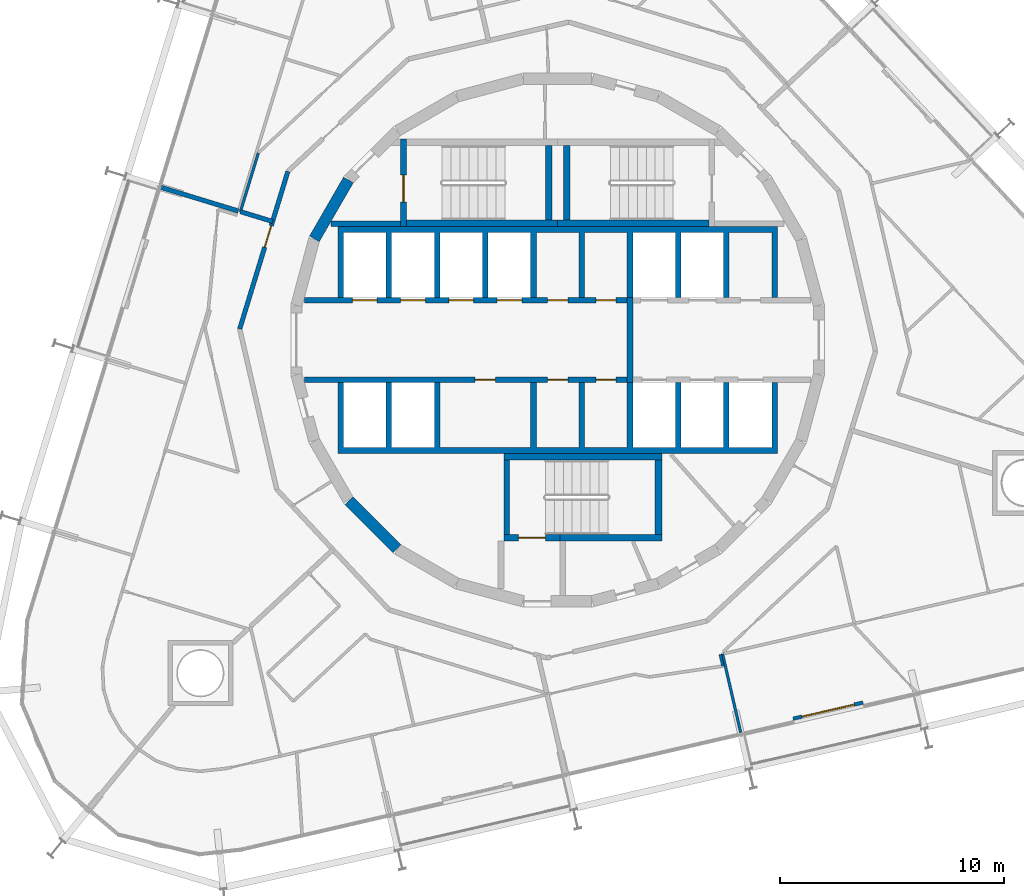
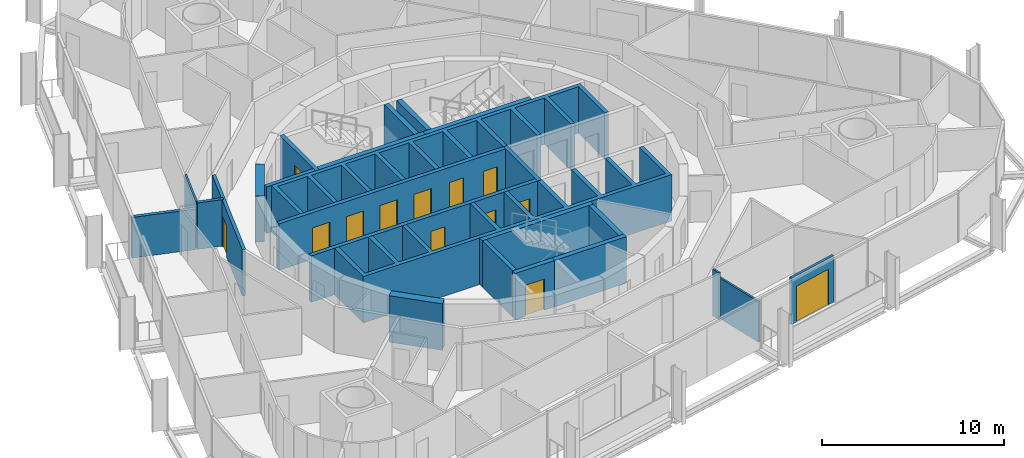
# One storey, part 13 of 18: 25 walls, 13 doors, 13 openings.
"""IFC4 building model written with IfcOpenShell, lengths in metres."""

from ifc_helpers import new_model, si_unit, direction, frame, frame_2d, origin, place, context, subcontext, project, spatial, polyline, rectangle, outline, extrude, material, layer, layer_set, type_object, element, fill, save


model = new_model("IFC4")

# Units and contexts
model_context = context("Model", 3, precision=1e-05, world=origin(), true_north=direction((0.0, 1.0)))
body_context = subcontext(model_context, "Body", "Model", "MODEL_VIEW")
ifc_project = project(units=[si_unit("LENGTHUNIT", "METRE"), si_unit("AREAUNIT", "SQUARE_METRE"), si_unit("VOLUMEUNIT", "CUBIC_METRE"), si_unit("PLANEANGLEUNIT", "RADIAN"), si_unit("MASSUNIT", "GRAM", prefix="KILO")], contexts=[model_context])

# Site, building, storey
site_placement = place(None, origin())
site = spatial("IfcSite", under=ifc_project, at=site_placement, CompositionType="ELEMENT")
building_placement = place(site_placement, origin())
building = spatial("IfcBuilding", under=site, at=building_placement, Name="Spindle Arch Residences", CompositionType="ELEMENT")
storey_placement = place(building_placement, frame((0.0, 0.0, 120.39990234375)))
storey = spatial("IfcBuildingStorey", under=building, at=storey_placement, Name="L29", CompositionType="ELEMENT", Elevation=120.39990234375)

# Walls
ifc_material_1 = material(Name="Concrete C50/60", Category="concrete")
ifc_layer_1 = layer(ifc_material_1, 0.5)
ifc_layer_set_1 = layer_set([ifc_layer_1], Name="Core outline wall 500")
wall_type_1 = type_object("IfcWallType", Name="Core outline wall 500", PredefinedType="SHEAR", material=ifc_layer_set_1)
wall_1_placement = place(storey_placement, frame((-9.32861328125, 7.13671875, 0.0), z_axis=(0.0, 0.0, 1.0), x_axis=(-0.500087131594, -0.865975092491, 0.0)))
element("IfcWall", 1, at=wall_1_placement, inside=storey, type_object=wall_type_1, Name="Core outline wall 16", PredefinedType="SHEAR", context=body_context, shape_type="SweptSolid", body=[
    extrude(rectangle(XDim=3.03271484375, YDim=0.5, at=frame_2d((1.516357421875, 0.0))), origin(), (0.0, 0.0, 1.0), 3.1201171875),
])
wall_2_placement = place(storey_placement, frame((-9.30810546875, -7.163818359375, 0.0), z_axis=(0.0, 0.0, 1.0), x_axis=(0.707106781187, -0.707106781187, 0.0)))
element("IfcWall", 2, at=wall_2_placement, inside=storey, type_object=wall_type_1, Name="Core outline wall 21", PredefinedType="SHEAR", context=body_context, shape_type="SweptSolid", body=[
    extrude(rectangle(XDim=3.032470703125, YDim=0.5, at=frame_2d((1.51611328125, 0.0))), origin(), (0.0, 0.0, 1.0), 3.1201171875),
])

# Wall, opening, door
ifc_material_2 = material(Name="Calcium silicate block, plastered")
ifc_layer_2 = layer(ifc_material_2, 0.199951171875)
ifc_layer_set_2 = layer_set([ifc_layer_2], Name="Corridor wall 200")
wall_type_2 = type_object("IfcWallType", Name="Corridor wall 200", PredefinedType="STANDARD", material=ifc_layer_set_2)
wall_3_placement = place(storey_placement, frame((-12.028076171875, 7.51611328125, 0.0), z_axis=(0.0, 0.0, 1.0), x_axis=(-0.292365533182, -0.956306642771, 0.0)))
wall_3 = element("IfcWall", 3, at=wall_3_placement, inside=storey, type_object=wall_type_2, Name="Corridor wall R3A0-W010", PredefinedType="STANDARD", context=body_context, shape_type="SweptSolid", body=[
    extrude(rectangle(XDim=7.341796875, YDim=0.199951171875, at=frame_2d((3.6708984375, 0.0))), origin(), (0.0, 0.0, 1.0), 3.1201171875),
])
opening_1_placement = place(wall_3_placement, frame((2.53271484375, 0.0, 0.0)))
opening_1 = element("IfcOpeningElement", 4, at=opening_1_placement, cuts=wall_3, Name="Opening R3A0-FD04", PredefinedType="OPENING", context=body_context, shape_type="SweptSolid", body=[
    extrude(rectangle(XDim=1.0, YDim=2.10009765625, at=frame_2d((0.5, 1.050048828125))), frame((0.0, 0.10986328125, 0.0), z_axis=(0.0, -1.0, 0.0), x_axis=(1.0, 0.0, 0.0)), (0.0, 0.0, 1.0), 0.219970703125),
])
ifc_material_3 = material(Name="Timber, fire-resisting door set", Category="wood")
door_type_1 = type_object("IfcDoorType", Name="Flat entrance door 1000x2100", OperationType="NOTDEFINED", PredefinedType="DOOR", material=ifc_material_3)
door_1_placement = place(opening_1_placement, origin())
door_1 = element("IfcDoor", 5, at=door_1_placement, inside=storey, type_object=door_type_1, Name="Flat entrance door R3A0-FD04", OperationType="SINGLE_SWING_LEFT", OverallHeight=2.10009765625, OverallWidth=1.0, PredefinedType="DOOR", context=body_context, shape_type="SweptSolid", body=[
    extrude(rectangle(XDim=1.0, YDim=2.10009765625, at=frame_2d((0.5, 1.050048828125))), frame((0.0, 0.02490234375, 0.0), z_axis=(0.0, -1.0, 0.0), x_axis=(1.0, 0.0, 0.0)), (0.0, 0.0, 1.0), 0.050048828125),
])
fill(opening_1, door_1)

# Walls
ifc_material_4 = material(Name="Concrete C40/50", Category="concrete")
ifc_layer_3 = layer(ifc_material_4, 0.25)
ifc_layer_set_3 = layer_set([ifc_layer_3], Name="Fire-lift lobby wall 250")
wall_type_3 = type_object("IfcWallType", Name="Fire-lift lobby wall 250", PredefinedType="SHEAR", material=ifc_layer_set_3)
wall_4_placement = place(storey_placement, frame((3.22509765625, -1.89990234375, 0.0), z_axis=(0.0, 0.0, 1.0), x_axis=(0.0, 1.0, 0.0)))
element("IfcWall", 6, at=wall_4_placement, inside=storey, type_object=wall_type_3, Name="Fire-fighting lobby partition", PredefinedType="SHEAR", context=body_context, shape_type="SweptSolid", body=[
    extrude(rectangle(XDim=3.7998046875, YDim=0.25, at=frame_2d((1.89990234375, 0.0))), origin(), (0.0, 0.0, 1.0), 3.1201171875),
])
ifc_material_5 = material(Name="Plasterboard on steel studs", Category="steel")
ifc_layer_4 = layer(ifc_material_5, 0.1201171875)
ifc_layer_set_4 = layer_set([ifc_layer_4], Name="Flat partition 120")
wall_type_4 = type_object("IfcWallType", Name="Flat partition 120", PredefinedType="PARTITIONING", material=ifc_layer_set_4)
wall_5_placement = place(storey_placement, frame((-13.34521484375, 8.3388671875, 0.0), z_axis=(0.0, 0.0, 1.0), x_axis=(-0.292316072367, -0.956321762712, 0.0)))
element("IfcWall", 7, at=wall_5_placement, inside=storey, type_object=wall_type_4, Name="Flat partition R3A0-W063", PredefinedType="PARTITIONING", context=body_context, shape_type="SweptSolid", body=[
    extrude(rectangle(XDim=2.734375, YDim=0.1201171875, at=frame_2d((1.3671875, 0.0))), origin(), (0.0, 0.0, 1.0), 3.1201171875),
])
wall_6_placement = place(storey_placement, frame((7.368408203125, -14.53662109375, 0.0), z_axis=(0.0, 0.0, 1.0), x_axis=(-0.224960301109, 0.974367929955, 0.0)))
element("IfcWall", 8, at=wall_6_placement, inside=storey, type_object=wall_type_4, Name="Flat partition R3A0-W105", PredefinedType="PARTITIONING", context=body_context, shape_type="SweptSolid", body=[
    extrude(rectangle(XDim=0.53076171875, YDim=0.1201171875, at=frame_2d((0.265380859375, 0.0))), origin(), (0.0, 0.0, 1.0), 3.1201171875),
])
ifc_material_6 = material(Name="Plasterboard on steel studs", Category="steel")
ifc_layer_5 = layer(ifc_material_6, 0.1201171875)
ifc_layer_set_5 = layer_set([ifc_layer_5], Name="Flat partition 120 under beam 2730")
wall_type_5 = type_object("IfcWallType", Name="Flat partition 120 under beam 2730", PredefinedType="PARTITIONING", material=ifc_layer_set_5)
wall_7_placement = place(storey_placement, frame((8.1611328125, -17.503662109375, 0.0), z_axis=(0.0, 0.0, 1.0), x_axis=(-0.224943703639, 0.9743717618, 0.0)))
element("IfcWall", 9, at=wall_7_placement, inside=storey, type_object=wall_type_5, Name="Flat partition R3A0-W110", PredefinedType="PARTITIONING", context=body_context, shape_type="SweptSolid", body=[
    extrude(rectangle(XDim=3.60009765625, YDim=0.1201171875, at=frame_2d((1.800048828125, 0.0))), origin(), (0.0, 0.0, 1.0), 2.72998046875),
])
ifc_material_7 = material(Name="Calcium silicate block, plastered")
ifc_layer_6 = layer(ifc_material_7, 0.199951171875)
ifc_layer_set_6 = layer_set([ifc_layer_6], Name="Flat party wall 200")
wall_type_6 = type_object("IfcWallType", Name="Flat party wall 200", PredefinedType="STANDARD", material=ifc_layer_set_6)
wall_8_placement = place(storey_placement, frame((-14.14453125, 5.723876953125, 0.0), z_axis=(0.0, 0.0, 1.0), x_axis=(0.956266872747, -0.292495586439, 0.0)))
element("IfcWall", 10, at=wall_8_placement, inside=storey, type_object=wall_type_6, Name="Flat party wall R3A0-W023", PredefinedType="STANDARD", context=body_context, shape_type="SweptSolid", body=[
    extrude(rectangle(XDim=1.5, YDim=0.199951171875, at=frame_2d((0.75, 0.0))), origin(), (0.0, 0.0, 1.0), 3.1201171875),
])
ifc_material_8 = material(Name="Calcium silicate block, plastered")
ifc_layer_7 = layer(ifc_material_8, 0.199951171875)
ifc_layer_set_7 = layer_set([ifc_layer_7], Name="Flat party wall 200 under beam 2730")
wall_type_7 = type_object("IfcWallType", Name="Flat party wall 200 under beam 2730", PredefinedType="STANDARD", material=ifc_layer_set_7)
wall_9_placement = place(storey_placement, frame((-17.67431640625, 6.802978515625, 0.0), z_axis=(0.0, 0.0, 1.0), x_axis=(0.956293645939, -0.292408041504, 0.0)))
element("IfcWall", 11, at=wall_9_placement, inside=storey, type_object=wall_type_7, Name="Flat party wall R3A0-W024", PredefinedType="STANDARD", context=body_context, shape_type="SweptSolid", body=[
    extrude(rectangle(XDim=3.600341796875, YDim=0.199951171875, at=frame_2d((1.80029296875, 0.0))), origin(), (0.0, 0.0, 1.0), 2.72998046875),
])

# Wall, opening, door
ifc_material_9 = material(Name="Non-combustible mineral wool insulated aluminium faced external wall (K0)", Category="aluminium")
ifc_layer_8 = layer(ifc_material_9, 0.159912109375)
ifc_layer_set_8 = layer_set([ifc_layer_8], Name="Insulated external wall panel 160")
wall_type_8 = type_object("IfcWallType", Name="Insulated external wall panel 160", PredefinedType="STANDARD", material=ifc_layer_set_8)
wall_10_placement = place(storey_placement, frame((10.495849609375, -16.882568359375, 0.0), z_axis=(0.0, 0.0, 1.0), x_axis=(0.974364187477, 0.224976510247, 0.0)))
wall_10 = element("IfcWall", 12, at=wall_10_placement, inside=storey, type_object=wall_type_8, Name="External wall L29 bay 1", PredefinedType="STANDARD", context=body_context, shape_type="SweptSolid", body=[
    extrude(rectangle(XDim=3.2001953125, YDim=0.159912109375, at=frame_2d((1.60009765625, 0.0))), origin(), (0.0, 0.0, 1.0), 3.1201171875),
])
opening_2_placement = place(wall_10_placement, frame((0.39990234375, 0.0, 0.0)))
opening_2 = element("IfcOpeningElement", 13, at=opening_2_placement, cuts=wall_10, Name="Opening BD01", PredefinedType="OPENING", context=body_context, shape_type="SweptSolid", body=[
    extrude(rectangle(XDim=2.39990234375, YDim=2.39990234375, at=frame_2d((1.199951171875, 1.199951171875))), frame((0.0, 0.08984375, 0.0), z_axis=(0.0, -1.0, 0.0), x_axis=(1.0, 0.0, 0.0)), (0.0, 0.0, 1.0), 0.179931640625),
])
ifc_material_10 = material(Name="Bronze aluminium frame, tinted double glazing", Category="aluminium")
door_type_2 = type_object("IfcDoorType", Name="Sliding glazed balcony door 2400x2400", OperationType="DOUBLE_DOOR_SLIDING", PredefinedType="DOOR", material=ifc_material_10)
door_2_placement = place(opening_2_placement, origin())
door_2 = element("IfcDoor", 14, at=door_2_placement, inside=storey, type_object=door_type_2, Name="Balcony door BD01", OperationType="DOUBLE_DOOR_SLIDING", OverallHeight=2.39990234375, OverallWidth=2.39990234375, PredefinedType="DOOR", context=body_context, shape_type="SweptSolid", body=[
    extrude(rectangle(XDim=2.39990234375, YDim=2.39990234375, at=frame_2d((1.199951171875, 1.199951171875))), frame((0.0, 0.02490234375, 0.0), z_axis=(0.0, -1.0, 0.0), x_axis=(1.0, 0.0, 0.0)), (0.0, 0.0, 1.0), 0.050048828125),
])
fill(opening_2, door_2)

# Wall, openings, doors
ifc_material_11 = material(Name="Concrete C50/60", Category="concrete")
ifc_layer_9 = layer(ifc_material_11, 0.25)
ifc_layer_set_9 = layer_set([ifc_layer_9], Name="Lift shaft wall 250")
wall_type_9 = type_object("IfcWallType", Name="Lift shaft wall 250", PredefinedType="SHEAR", material=ifc_layer_set_9)
wall_11_placement = place(storey_placement, frame((-11.280029296875, 1.77490234375, 0.0), z_axis=(0.0, 0.0, 1.0), x_axis=(1.0, 0.0, 0.0)))
wall_11 = element("IfcWall", 15, at=wall_11_placement, inside=storey, type_object=wall_type_9, Name="Lift shaft front wall NW", PredefinedType="SHEAR", context=body_context, shape_type="SweptSolid", body=[
    extrude(rectangle(XDim=14.380126953125, YDim=0.25, at=frame_2d((7.18994140625, 0.0))), origin(), (0.0, 0.0, 1.0), 3.1201171875),
])
opening_3_placement = place(wall_11_placement, frame((2.1298828125, 0.0, 0.0)))
opening_3 = element("IfcOpeningElement", 16, at=opening_3_placement, cuts=wall_11, Name="Opening R3A0-LD01", PredefinedType="OPENING", context=body_context, shape_type="SweptSolid", body=[
    extrude(rectangle(XDim=1.10009765625, YDim=2.10009765625, at=frame_2d((0.550048828125, 1.050048828125))), frame((0.0, 0.135009765625, 0.0), z_axis=(0.0, -1.0, 0.0), x_axis=(1.0, 0.0, 0.0)), (0.0, 0.0, 1.0), 0.27001953125),
])
opening_4_placement = place(wall_11_placement, frame((4.280029296875, 0.0, 0.0)))
opening_4 = element("IfcOpeningElement", 17, at=opening_4_placement, cuts=wall_11, Name="Opening R3A0-LD02", PredefinedType="OPENING", context=body_context, shape_type="SweptSolid", body=[
    extrude(rectangle(XDim=1.10009765625, YDim=2.10009765625, at=frame_2d((0.550048828125, 1.050048828125))), frame((0.0, 0.135009765625, 0.0), z_axis=(0.0, -1.0, 0.0), x_axis=(1.0, 0.0, 0.0)), (0.0, 0.0, 1.0), 0.27001953125),
])
opening_5_placement = place(wall_11_placement, frame((6.429931640625, 0.0, 0.0)))
opening_5 = element("IfcOpeningElement", 18, at=opening_5_placement, cuts=wall_11, Name="Opening R3A0-LD03", PredefinedType="OPENING", context=body_context, shape_type="SweptSolid", body=[
    extrude(rectangle(XDim=1.10009765625, YDim=2.10009765625, at=frame_2d((0.550048828125, 1.050048828125))), frame((0.0, 0.135009765625, 0.0), z_axis=(0.0, -1.0, 0.0), x_axis=(1.0, 0.0, 0.0)), (0.0, 0.0, 1.0), 0.27001953125),
])
opening_6_placement = place(wall_11_placement, frame((8.580078125, 0.0, 0.0)))
opening_6 = element("IfcOpeningElement", 19, at=opening_6_placement, cuts=wall_11, Name="Opening R3A0-LD04", PredefinedType="OPENING", context=body_context, shape_type="SweptSolid", body=[
    extrude(rectangle(XDim=1.10009765625, YDim=2.10009765625, at=frame_2d((0.550048828125, 1.050048828125))), frame((0.0, 0.135009765625, 0.0), z_axis=(0.0, -1.0, 0.0), x_axis=(1.0, 0.0, 0.0)), (0.0, 0.0, 1.0), 0.27001953125),
])
opening_7_placement = place(wall_11_placement, frame((10.830078125, 0.0, 0.0)))
opening_7 = element("IfcOpeningElement", 20, at=opening_7_placement, cuts=wall_11, Name="Opening R3A0-WD01", PredefinedType="OPENING", context=body_context, shape_type="SweptSolid", body=[
    extrude(rectangle(XDim=0.89990234375, YDim=2.10009765625, at=frame_2d((0.449951171875, 1.050048828125))), frame((0.0, 0.135009765625, 0.0), z_axis=(0.0, -1.0, 0.0), x_axis=(1.0, 0.0, 0.0)), (0.0, 0.0, 1.0), 0.27001953125),
])
opening_8_placement = place(wall_11_placement, frame((12.97998046875, 0.0, 0.0)))
opening_8 = element("IfcOpeningElement", 21, at=opening_8_placement, cuts=wall_11, Name="Opening R3A0-WD02", PredefinedType="OPENING", context=body_context, shape_type="SweptSolid", body=[
    extrude(rectangle(XDim=0.89990234375, YDim=2.10009765625, at=frame_2d((0.449951171875, 1.050048828125))), frame((0.0, 0.135009765625, 0.0), z_axis=(0.0, -1.0, 0.0), x_axis=(1.0, 0.0, 0.0)), (0.0, 0.0, 1.0), 0.27001953125),
])
ifc_material_12 = material(Name="Steel, fire-resisting landing door", Category="steel")
door_type_3 = type_object("IfcDoorType", Name="Lift landing door 1100x2100", OperationType="DOUBLE_DOOR_SLIDING", PredefinedType="DOOR", material=ifc_material_12)
door_3_placement = place(opening_3_placement, origin())
door_3 = element("IfcDoor", 22, at=door_3_placement, inside=storey, type_object=door_type_3, Name="Lift landing door R3A0-LD01", OperationType="DOUBLE_DOOR_SLIDING", OverallHeight=2.10009765625, OverallWidth=1.10009765625, PredefinedType="DOOR", context=body_context, shape_type="SweptSolid", body=[
    extrude(rectangle(XDim=1.10009765625, YDim=2.10009765625, at=frame_2d((0.550048828125, 1.050048828125))), frame((0.0, 0.02490234375, 0.0), z_axis=(0.0, -1.0, 0.0), x_axis=(1.0, 0.0, 0.0)), (0.0, 0.0, 1.0), 0.050048828125),
])
fill(opening_3, door_3)
door_4_placement = place(opening_4_placement, origin())
door_4 = element("IfcDoor", 23, at=door_4_placement, inside=storey, type_object=door_type_3, Name="Lift landing door R3A0-LD02", OperationType="DOUBLE_DOOR_SLIDING", OverallHeight=2.10009765625, OverallWidth=1.10009765625, PredefinedType="DOOR", context=body_context, shape_type="SweptSolid", body=[
    extrude(rectangle(XDim=1.10009765625, YDim=2.10009765625, at=frame_2d((0.550048828125, 1.050048828125))), frame((0.0, 0.02490234375, 0.0), z_axis=(0.0, -1.0, 0.0), x_axis=(1.0, 0.0, 0.0)), (0.0, 0.0, 1.0), 0.050048828125),
])
fill(opening_4, door_4)
door_5_placement = place(opening_5_placement, origin())
door_5 = element("IfcDoor", 24, at=door_5_placement, inside=storey, type_object=door_type_3, Name="Lift landing door R3A0-LD03", OperationType="DOUBLE_DOOR_SLIDING", OverallHeight=2.10009765625, OverallWidth=1.10009765625, PredefinedType="DOOR", context=body_context, shape_type="SweptSolid", body=[
    extrude(rectangle(XDim=1.10009765625, YDim=2.10009765625, at=frame_2d((0.550048828125, 1.050048828125))), frame((0.0, 0.02490234375, 0.0), z_axis=(0.0, -1.0, 0.0), x_axis=(1.0, 0.0, 0.0)), (0.0, 0.0, 1.0), 0.050048828125),
])
fill(opening_5, door_5)
door_6_placement = place(opening_6_placement, origin())
door_6 = element("IfcDoor", 25, at=door_6_placement, inside=storey, type_object=door_type_3, Name="Lift landing door R3A0-LD04", OperationType="DOUBLE_DOOR_SLIDING", OverallHeight=2.10009765625, OverallWidth=1.10009765625, PredefinedType="DOOR", context=body_context, shape_type="SweptSolid", body=[
    extrude(rectangle(XDim=1.10009765625, YDim=2.10009765625, at=frame_2d((0.550048828125, 1.050048828125))), frame((0.0, 0.02490234375, 0.0), z_axis=(0.0, -1.0, 0.0), x_axis=(1.0, 0.0, 0.0)), (0.0, 0.0, 1.0), 0.050048828125),
])
fill(opening_6, door_6)
ifc_material_13 = material(Name="Steel, fire-resisting door", Category="steel")
door_type_4 = type_object("IfcDoorType", Name="Service room door 900x2100", OperationType="SINGLE_SWING_LEFT", PredefinedType="DOOR", material=ifc_material_13)
door_7_placement = place(opening_7_placement, origin())
door_7 = element("IfcDoor", 26, at=door_7_placement, inside=storey, type_object=door_type_4, Name="Service room door R3A0-WD01", OperationType="SINGLE_SWING_RIGHT", OverallHeight=2.10009765625, OverallWidth=0.89990234375, PredefinedType="DOOR", context=body_context, shape_type="SweptSolid", body=[
    extrude(rectangle(XDim=0.89990234375, YDim=2.10009765625, at=frame_2d((0.449951171875, 1.050048828125))), frame((0.0, 0.02490234375, 0.0), z_axis=(0.0, -1.0, 0.0), x_axis=(1.0, 0.0, 0.0)), (0.0, 0.0, 1.0), 0.050048828125),
])
fill(opening_7, door_7)
door_8_placement = place(opening_8_placement, origin())
door_8 = element("IfcDoor", 27, at=door_8_placement, inside=storey, type_object=door_type_4, Name="Service room door R3A0-WD02", OperationType="SINGLE_SWING_LEFT", OverallHeight=2.10009765625, OverallWidth=0.89990234375, PredefinedType="DOOR", context=body_context, shape_type="SweptSolid", body=[
    extrude(rectangle(XDim=0.89990234375, YDim=2.10009765625, at=frame_2d((0.449951171875, 1.050048828125))), frame((0.0, 0.02490234375, 0.0), z_axis=(0.0, -1.0, 0.0), x_axis=(1.0, 0.0, 0.0)), (0.0, 0.0, 1.0), 0.050048828125),
])
fill(opening_8, door_8)

wall_12_placement = place(storey_placement, frame((-11.280029296875, -1.77490234375, 0.0), z_axis=(0.0, 0.0, 1.0), x_axis=(1.0, 0.0, 0.0)))
wall_12 = element("IfcWall", 28, at=wall_12_placement, inside=storey, type_object=wall_type_9, Name="Lift shaft front wall SW", PredefinedType="SHEAR", context=body_context, shape_type="SweptSolid", body=[
    extrude(rectangle(XDim=14.380126953125, YDim=0.25, at=frame_2d((7.18994140625, 0.0))), origin(), (0.0, 0.0, 1.0), 3.1201171875),
])
opening_9_placement = place(wall_12_placement, frame((7.60498046875, 0.0, 0.0)))
opening_9 = element("IfcOpeningElement", 29, at=opening_9_placement, cuts=wall_12, Name="Opening R3A0-WD04", PredefinedType="OPENING", context=body_context, shape_type="SweptSolid", body=[
    extrude(rectangle(XDim=0.89990234375, YDim=2.10009765625, at=frame_2d((0.449951171875, 1.050048828125))), frame((0.0, 0.135009765625, 0.0), z_axis=(0.0, -1.0, 0.0), x_axis=(1.0, 0.0, 0.0)), (0.0, 0.0, 1.0), 0.27001953125),
])
opening_10_placement = place(wall_12_placement, frame((10.830078125, 0.0, 0.0)))
opening_10 = element("IfcOpeningElement", 30, at=opening_10_placement, cuts=wall_12, Name="Opening R3A0-WD05", PredefinedType="OPENING", context=body_context, shape_type="SweptSolid", body=[
    extrude(rectangle(XDim=0.89990234375, YDim=2.10009765625, at=frame_2d((0.449951171875, 1.050048828125))), frame((0.0, 0.135009765625, 0.0), z_axis=(0.0, -1.0, 0.0), x_axis=(1.0, 0.0, 0.0)), (0.0, 0.0, 1.0), 0.27001953125),
])
opening_11_placement = place(wall_12_placement, frame((12.97998046875, 0.0, 0.0)))
opening_11 = element("IfcOpeningElement", 31, at=opening_11_placement, cuts=wall_12, Name="Opening R3A0-WD06", PredefinedType="OPENING", context=body_context, shape_type="SweptSolid", body=[
    extrude(rectangle(XDim=0.89990234375, YDim=2.10009765625, at=frame_2d((0.449951171875, 1.050048828125))), frame((0.0, 0.135009765625, 0.0), z_axis=(0.0, -1.0, 0.0), x_axis=(1.0, 0.0, 0.0)), (0.0, 0.0, 1.0), 0.27001953125),
])
door_9_placement = place(opening_9_placement, origin())
door_9 = element("IfcDoor", 32, at=door_9_placement, inside=storey, type_object=door_type_4, Name="Service room door R3A0-WD04", OperationType="SINGLE_SWING_LEFT", OverallHeight=2.10009765625, OverallWidth=0.89990234375, PredefinedType="DOOR", context=body_context, shape_type="SweptSolid", body=[
    extrude(rectangle(XDim=0.89990234375, YDim=2.10009765625, at=frame_2d((0.449951171875, 1.050048828125))), frame((0.0, 0.02490234375, 0.0), z_axis=(0.0, -1.0, 0.0), x_axis=(1.0, 0.0, 0.0)), (0.0, 0.0, 1.0), 0.050048828125),
])
fill(opening_9, door_9)
door_10_placement = place(opening_10_placement, origin())
door_10 = element("IfcDoor", 33, at=door_10_placement, inside=storey, type_object=door_type_4, Name="Service room door R3A0-WD05", OperationType="SINGLE_SWING_RIGHT", OverallHeight=2.10009765625, OverallWidth=0.89990234375, PredefinedType="DOOR", context=body_context, shape_type="SweptSolid", body=[
    extrude(rectangle(XDim=0.89990234375, YDim=2.10009765625, at=frame_2d((0.449951171875, 1.050048828125))), frame((0.0, 0.02490234375, 0.0), z_axis=(0.0, -1.0, 0.0), x_axis=(1.0, 0.0, 0.0)), (0.0, 0.0, 1.0), 0.050048828125),
])
fill(opening_10, door_10)
door_11_placement = place(opening_11_placement, origin())
door_11 = element("IfcDoor", 34, at=door_11_placement, inside=storey, type_object=door_type_4, Name="Service room door R3A0-WD06", OperationType="SINGLE_SWING_LEFT", OverallHeight=2.10009765625, OverallWidth=0.89990234375, PredefinedType="DOOR", context=body_context, shape_type="SweptSolid", body=[
    extrude(rectangle(XDim=0.89990234375, YDim=2.10009765625, at=frame_2d((0.449951171875, 1.050048828125))), frame((0.0, 0.02490234375, 0.0), z_axis=(0.0, -1.0, 0.0), x_axis=(1.0, 0.0, 0.0)), (0.0, 0.0, 1.0), 0.050048828125),
])
fill(opening_11, door_11)

# Walls
ifc_material_14 = material(Name="Concrete C50/60", Category="concrete")
wall_type_10 = type_object("IfcWallType", Name="Lift shaft wall profile", PredefinedType="SHEAR", material=ifc_material_14)
wall_13_placement = place(storey_placement, origin())
element("IfcWall", 35, at=wall_13_placement, inside=storey, type_object=wall_type_10, Name="Lift shaft walls N", PredefinedType="SHEAR", context=body_context, shape_type="SweptSolid", body=[
    extrude(outline(polyline([(-9.550048828125, 4.800048828125), (-7.64990234375, 4.800048828125), (-7.64990234375, 1.89990234375), (-7.39990234375, 1.89990234375), (-7.39990234375, 4.800048828125), (-5.5, 4.800048828125), (-5.5, 1.89990234375), (-5.25, 1.89990234375), (-5.25, 4.800048828125), (-3.35009765625, 4.800048828125), (-3.35009765625, 1.89990234375), (-3.10009765625, 1.89990234375), (-3.10009765625, 4.800048828125), (-1.199951171875, 4.800048828125), (-1.199951171875, 1.89990234375), (-0.949951171875, 1.89990234375), (-0.949951171875, 4.800048828125), (0.949951171875, 4.800048828125), (0.949951171875, 1.89990234375), (1.199951171875, 1.89990234375), (1.199951171875, 4.800048828125), (3.10009765625, 4.800048828125), (3.10009765625, 1.89990234375), (3.35009765625, 1.89990234375), (3.35009765625, 4.800048828125), (5.25, 4.800048828125), (5.25, 1.89990234375), (5.5, 1.89990234375), (5.5, 4.800048828125), (7.39990234375, 4.800048828125), (7.39990234375, 1.89990234375), (7.64990234375, 1.89990234375), (7.64990234375, 4.800048828125), (9.550048828125, 4.800048828125), (9.550048828125, 1.89990234375), (9.800048828125, 1.89990234375), (9.800048828125, 4.800048828125), (9.800048828125, 5.050048828125), (-9.800048828125, 5.050048828125), (-9.800048828125, 4.800048828125), (-9.800048828125, 1.89990234375), (-9.550048828125, 1.89990234375), (-9.550048828125, 4.800048828125)])), origin(), (0.0, 0.0, 1.0), 3.1201171875),
])
wall_14_placement = place(storey_placement, origin())
element("IfcWall", 36, at=wall_14_placement, inside=storey, type_object=wall_type_10, Name="Lift shaft walls S", PredefinedType="SHEAR", context=body_context, shape_type="SweptSolid", body=[
    extrude(outline(polyline([(9.800048828125, -5.050048828125), (9.800048828125, -4.800048828125), (9.800048828125, -1.89990234375), (9.550048828125, -1.89990234375), (9.550048828125, -4.800048828125), (7.64990234375, -4.800048828125), (7.64990234375, -1.89990234375), (7.39990234375, -1.89990234375), (7.39990234375, -4.800048828125), (5.5, -4.800048828125), (5.5, -1.89990234375), (5.25, -1.89990234375), (5.25, -4.800048828125), (3.35009765625, -4.800048828125), (3.35009765625, -1.89990234375), (3.10009765625, -1.89990234375), (3.10009765625, -4.800048828125), (1.199951171875, -4.800048828125), (1.199951171875, -1.89990234375), (0.949951171875, -1.89990234375), (0.949951171875, -4.800048828125), (-0.949951171875, -4.800048828125), (-0.949951171875, -1.89990234375), (-1.199951171875, -1.89990234375), (-1.199951171875, -4.800048828125), (-5.25, -4.800048828125), (-5.25, -1.89990234375), (-5.5, -1.89990234375), (-5.5, -4.800048828125), (-7.39990234375, -4.800048828125), (-7.39990234375, -1.89990234375), (-7.64990234375, -1.89990234375), (-7.64990234375, -4.800048828125), (-9.550048828125, -4.800048828125), (-9.550048828125, -1.89990234375), (-9.800048828125, -1.89990234375), (-9.800048828125, -4.800048828125), (-9.800048828125, -5.050048828125), (9.800048828125, -5.050048828125)])), origin(), (0.0, 0.0, 1.0), 3.1201171875),
])
ifc_material_15 = material(Name="Concrete C40/50", Category="concrete")
ifc_layer_10 = layer(ifc_material_15, 0.25)
ifc_layer_set_10 = layer_set([ifc_layer_10], Name="Stair airlock wall 250")
wall_type_11 = type_object("IfcWallType", Name="Stair airlock wall 250", PredefinedType="SHEAR", material=ifc_layer_set_10)
wall_15_placement = place(storey_placement, frame((-7.0, 5.175048828125, 0.0), z_axis=(0.0, 0.0, 1.0), x_axis=(-1.0, 0.0, 0.0)))
element("IfcWall", 37, at=wall_15_placement, inside=storey, type_object=wall_type_11, Name="Stair ST-2 airlock wall S", PredefinedType="SHEAR", context=body_context, shape_type="SweptSolid", body=[
    extrude(rectangle(XDim=3.10009765625, YDim=0.25, at=frame_2d((1.550048828125, 0.0))), origin(), (0.0, 0.0, 1.0), 3.1201171875),
])

# Wall, opening, door
ifc_material_16 = material(Name="Concrete C50/60", Category="concrete")
ifc_layer_11 = layer(ifc_material_16, 0.25)
ifc_layer_set_11 = layer_set([ifc_layer_11], Name="Stair enclosure wall 250")
wall_type_12 = type_object("IfcWallType", Name="Stair enclosure wall 250", PredefinedType="SHEAR", material=ifc_layer_set_11)
wall_16_placement = place(storey_placement, frame((-6.875, 8.969970703125, 0.0), z_axis=(0.0, 0.0, 1.0), x_axis=(0.0, -1.0, 0.0)))
wall_16 = element("IfcWall", 38, at=wall_16_placement, inside=storey, type_object=wall_type_12, Name="Stair ST-2 door wall", PredefinedType="SHEAR", context=body_context, shape_type="SweptSolid", body=[
    extrude(rectangle(XDim=3.919921875, YDim=0.25, at=frame_2d((1.9599609375, 0.0))), origin(), (0.0, 0.0, 1.0), 3.1201171875),
])
opening_12_placement = place(wall_16_placement, frame((1.610107421875, 0.0, 0.0)))
opening_12 = element("IfcOpeningElement", 39, at=opening_12_placement, cuts=wall_16, Name="Opening R3A0-SD02", PredefinedType="OPENING", context=body_context, shape_type="SweptSolid", body=[
    extrude(rectangle(XDim=1.199951171875, YDim=2.10009765625, at=frame_2d((0.60009765625, 1.050048828125))), frame((0.0, 0.135009765625, 0.0), z_axis=(0.0, -1.0, 0.0), x_axis=(1.0, 0.0, 0.0)), (0.0, 0.0, 1.0), 0.27001953125),
])
ifc_material_17 = material(Name="Steel, fire-resisting door", Category="steel")
door_type_5 = type_object("IfcDoorType", Name="Stair door 1200x2100", OperationType="SINGLE_SWING_RIGHT", PredefinedType="DOOR", material=ifc_material_17)
door_12_placement = place(opening_12_placement, origin())
door_12 = element("IfcDoor", 40, at=door_12_placement, inside=storey, type_object=door_type_5, Name="Stair door R3A0-SD02", OperationType="SINGLE_SWING_LEFT", OverallHeight=2.10009765625, OverallWidth=1.199951171875, PredefinedType="DOOR", context=body_context, shape_type="SweptSolid", body=[
    extrude(rectangle(XDim=1.199951171875, YDim=2.10009765625, at=frame_2d((0.60009765625, 1.050048828125))), frame((0.0, 0.02490234375, 0.0), z_axis=(0.0, -1.0, 0.0), x_axis=(1.0, 0.0, 0.0)), (0.0, 0.0, 1.0), 0.050048828125),
])
fill(opening_12, door_12)

# Walls
wall_17_placement = place(storey_placement, frame((-2.27490234375, -8.669921875, 0.0), z_axis=(0.0, 0.0, 1.0), x_axis=(0.0, 1.0, 0.0)))
element("IfcWall", 41, at=wall_17_placement, inside=storey, type_object=wall_type_12, Name="Stair ST-3 enclosure wall W", PredefinedType="SHEAR", context=body_context, shape_type="SweptSolid", body=[
    extrude(rectangle(XDim=3.31982421875, YDim=0.25, at=frame_2d((1.659912109375, 0.0))), origin(), (0.0, 0.0, 1.0), 3.1201171875),
])
ifc_material_18 = material(Name="Concrete C50/60", Category="concrete")
ifc_layer_12 = layer(ifc_material_18, 0.300048828125)
ifc_layer_set_12 = layer_set([ifc_layer_12], Name="Stair enclosure wall 300")
wall_type_13 = type_object("IfcWallType", Name="Stair enclosure wall 300", PredefinedType="SHEAR", material=ifc_layer_set_12)
wall_18_placement = place(storey_placement, frame((0.0, 5.199951171875, 0.0), z_axis=(0.0, 0.0, 1.0), x_axis=(1.0, 0.0, 0.0)))
element("IfcWall", 42, at=wall_18_placement, inside=storey, type_object=wall_type_13, Name="Stair ST-1 enclosure wall S", PredefinedType="SHEAR", context=body_context, shape_type="SweptSolid", body=[
    extrude(rectangle(XDim=6.75, YDim=0.300048828125, at=frame_2d((3.375, 0.0))), origin(), (0.0, 0.0, 1.0), 3.1201171875),
])
wall_19_placement = place(storey_placement, frame((0.39990234375, 5.35009765625, 0.0), z_axis=(0.0, 0.0, 1.0), x_axis=(0.0, 1.0, 0.0)))
element("IfcWall", 43, at=wall_19_placement, inside=storey, type_object=wall_type_13, Name="Stair ST-1 enclosure wall F", PredefinedType="SHEAR", context=body_context, shape_type="SweptSolid", body=[
    extrude(rectangle(XDim=3.31982421875, YDim=0.300048828125, at=frame_2d((1.659912109375, 0.0))), origin(), (0.0, 0.0, 1.0), 3.1201171875),
])
wall_20_placement = place(storey_placement, frame((-6.75, 5.199951171875, 0.0), z_axis=(0.0, 0.0, 1.0), x_axis=(1.0, 0.0, 0.0)))
element("IfcWall", 44, at=wall_20_placement, inside=storey, type_object=wall_type_13, Name="Stair ST-2 enclosure wall S", PredefinedType="SHEAR", context=body_context, shape_type="SweptSolid", body=[
    extrude(rectangle(XDim=6.75, YDim=0.300048828125, at=frame_2d((3.375, 0.0))), origin(), (0.0, 0.0, 1.0), 3.1201171875),
])
wall_21_placement = place(storey_placement, frame((-0.39990234375, 5.35009765625, 0.0), z_axis=(0.0, 0.0, 1.0), x_axis=(0.0, 1.0, 0.0)))
element("IfcWall", 45, at=wall_21_placement, inside=storey, type_object=wall_type_13, Name="Stair ST-2 enclosure wall F", PredefinedType="SHEAR", context=body_context, shape_type="SweptSolid", body=[
    extrude(rectangle(XDim=3.31982421875, YDim=0.300048828125, at=frame_2d((1.659912109375, 0.0))), origin(), (0.0, 0.0, 1.0), 3.1201171875),
])
wall_22_placement = place(storey_placement, frame((-2.39990234375, -5.199951171875, 0.0), z_axis=(0.0, 0.0, 1.0), x_axis=(1.0, 0.0, 0.0)))
element("IfcWall", 46, at=wall_22_placement, inside=storey, type_object=wall_type_13, Name="Stair ST-3 enclosure wall N", PredefinedType="SHEAR", context=body_context, shape_type="SweptSolid", body=[
    extrude(rectangle(XDim=7.0498046875, YDim=0.300048828125, at=frame_2d((3.52490234375, 0.0))), origin(), (0.0, 0.0, 1.0), 3.1201171875),
])
wall_23_placement = place(storey_placement, frame((4.5, -8.669921875, 0.0), z_axis=(0.0, 0.0, 1.0), x_axis=(0.0, 1.0, 0.0)))
element("IfcWall", 47, at=wall_23_placement, inside=storey, type_object=wall_type_13, Name="Stair ST-3 enclosure wall E", PredefinedType="SHEAR", context=body_context, shape_type="SweptSolid", body=[
    extrude(rectangle(XDim=3.31982421875, YDim=0.300048828125, at=frame_2d((1.659912109375, 0.0))), origin(), (0.0, 0.0, 1.0), 3.1201171875),
])
wall_24_placement = place(storey_placement, frame((0.10009765625, -8.820068359375, 0.0), z_axis=(0.0, 0.0, 1.0), x_axis=(1.0, 0.0, 0.0)))
element("IfcWall", 48, at=wall_24_placement, inside=storey, type_object=wall_type_13, Name="Stair ST-3 enclosure wall S", PredefinedType="SHEAR", context=body_context, shape_type="SweptSolid", body=[
    extrude(rectangle(XDim=4.5498046875, YDim=0.300048828125, at=frame_2d((2.27490234375, 0.0))), origin(), (0.0, 0.0, 1.0), 3.1201171875),
])

# Wall, opening, door
wall_25_placement = place(storey_placement, frame((-2.39990234375, -8.820068359375, 0.0), z_axis=(0.0, 0.0, 1.0), x_axis=(1.0, 0.0, 0.0)))
wall_25 = element("IfcWall", 49, at=wall_25_placement, inside=storey, type_object=wall_type_13, Name="Stair ST-3 door wall", PredefinedType="SHEAR", context=body_context, shape_type="SweptSolid", body=[
    extrude(rectangle(XDim=2.5, YDim=0.300048828125, at=frame_2d((1.25, 0.0))), origin(), (0.0, 0.0, 1.0), 3.1201171875),
])
opening_13_placement = place(wall_25_placement, frame((0.64990234375, 0.0, 0.0)))
opening_13 = element("IfcOpeningElement", 50, at=opening_13_placement, cuts=wall_25, Name="Opening R3A0-SD03", PredefinedType="OPENING", context=body_context, shape_type="SweptSolid", body=[
    extrude(rectangle(XDim=1.199951171875, YDim=2.10009765625, at=frame_2d((0.60009765625, 1.050048828125))), frame((0.0, 0.16015625, 0.0), z_axis=(0.0, -1.0, 0.0), x_axis=(1.0, 0.0, 0.0)), (0.0, 0.0, 1.0), 0.320068359375),
])
door_13_placement = place(opening_13_placement, origin())
door_13 = element("IfcDoor", 51, at=door_13_placement, inside=storey, type_object=door_type_5, Name="Stair door R3A0-SD03", OperationType="SINGLE_SWING_LEFT", OverallHeight=2.10009765625, OverallWidth=1.199951171875, PredefinedType="DOOR", context=body_context, shape_type="SweptSolid", body=[
    extrude(rectangle(XDim=1.199951171875, YDim=2.10009765625, at=frame_2d((0.60009765625, 1.050048828125))), frame((0.0, 0.02490234375, 0.0), z_axis=(0.0, -1.0, 0.0), x_axis=(1.0, 0.0, 0.0)), (0.0, 0.0, 1.0), 0.050048828125),
])
fill(opening_13, door_13)

save(model, "model.ifc")
